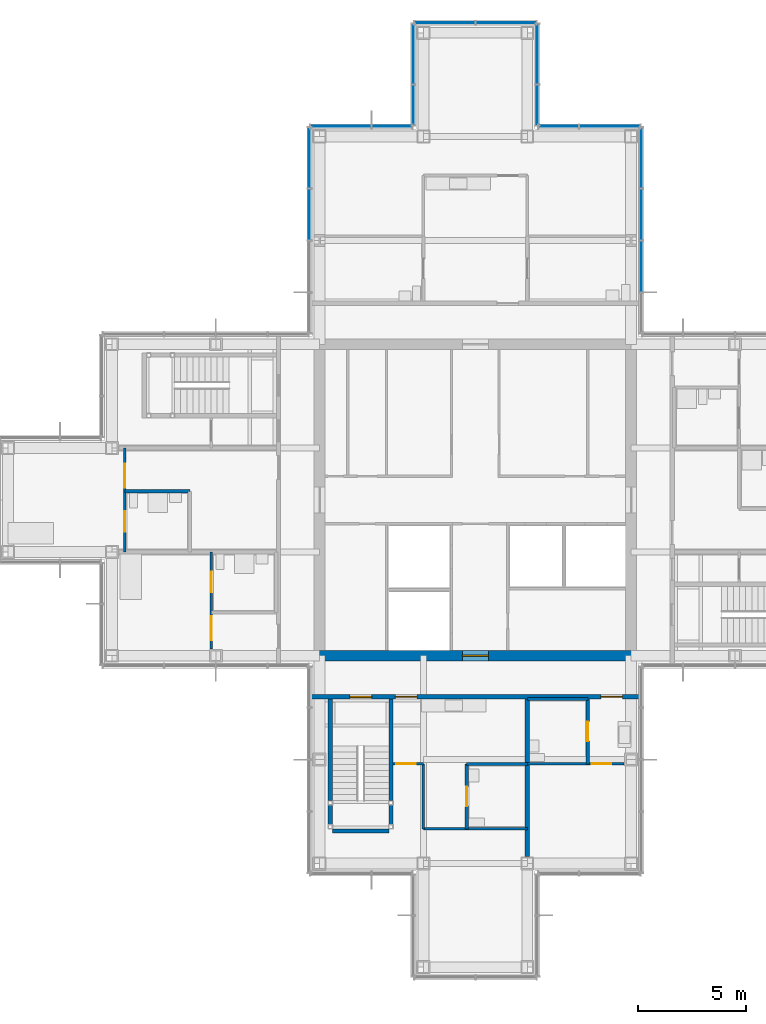
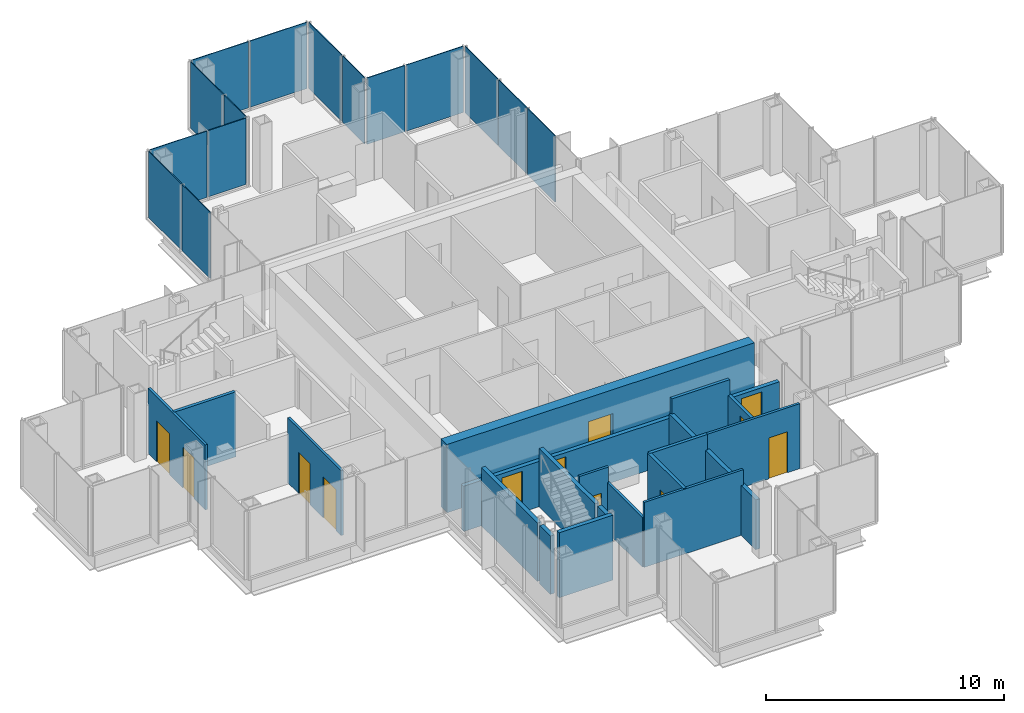
# One storey, part 11 of 17: 19 walls, 15 plates, 12 doors, 12 openings, 7 elements without a shape of their own.
"""IFC4 building model written with IfcOpenShell, lengths in metres."""

import ifcopenshell
import ifcopenshell.guid

model = None  # the IFC model being written
_history = None  # IfcOwnerHistory: only IFC2X3 demands one
_inside = {}  # id of a spatial element -> (the spatial element, [elements in it])
_under = {}  # id of a project, library or spatial element -> (it, [spatial elements below it])
_declared = {}  # id of a project -> (the project, [libraries it declares])
_typed = {}  # id of a type object -> (the type object, [elements of that type])
_made_of = {}  # id of a material, layer set ... -> (it, [elements and type objects made of it])


def new_model(schema):
    """Start an empty IFC model of exactly this schema.

    Asked for "IFC4X3", IfcOpenShell would pick the latest addendum, in which some entities
    have other attributes; the version numbers below select the first issue.
    IFC2X3 requires an IfcOwnerHistory on every rooted entity: one is made here for all.
    """
    global model, _history
    if schema == "IFC4X3":
        model = ifcopenshell.file(schema_version=(4, 3, 0, 0))
    else:
        model = ifcopenshell.file(schema=schema)
    _inside.clear()
    _under.clear()
    _declared.clear()
    _typed.clear()
    _made_of.clear()
    _history = None
    if model.schema == "IFC2X3":
        org = make("IfcOrganization", Name="unknown")
        user = make(
            "IfcPersonAndOrganization",
            ThePerson=make("IfcPerson", FamilyName="unknown"),
            TheOrganization=org,
        )
        app = make(
            "IfcApplication",
            ApplicationDeveloper=org,
            Version="unknown",
            ApplicationFullName="unknown",
            ApplicationIdentifier="unknown",
        )
        _history = make(
            "IfcOwnerHistory",
            OwningUser=user,
            OwningApplication=app,
            ChangeAction="ADDED",
            CreationDate=0,
        )
    return model


def make(cls, **values):
    """One entity of the class cls with the attributes given. An attribute that is None is left unset."""
    return model.create_entity(
        cls, **{name: value for name, value in values.items() if value is not None}
    )


def rooted(cls, **values):
    """An entity with a GlobalId (a new one), such as an element, a storey or a relation."""
    return make(cls, GlobalId=ifcopenshell.guid.new(), OwnerHistory=_history, **values)


def si_unit(unit_type, name, prefix=None):
    """IfcSIUnit, for example si_unit("LENGTHUNIT", "METRE", prefix="MILLI")."""
    return make("IfcSIUnit", UnitType=unit_type, Prefix=prefix, Name=name)


def assignment(units):
    """IfcUnitAssignment: the units of a project."""
    return None if units is None else make("IfcUnitAssignment", Units=units)


def point(xyz):
    """IfcCartesianPoint."""
    return None if xyz is None else make("IfcCartesianPoint", Coordinates=xyz)


def direction(xyz):
    """IfcDirection."""
    return None if xyz is None else make("IfcDirection", DirectionRatios=xyz)


def frame(location, z_axis=None, x_axis=None):
    """IfcAxis2Placement3D, a coordinate frame: its origin and axes. An axis left out is left unset."""
    return make(
        "IfcAxis2Placement3D",
        Location=point(location),
        Axis=direction(z_axis),
        RefDirection=direction(x_axis),
    )


def frame_2d(location, x_axis=None):
    """IfcAxis2Placement2D, a coordinate frame in the plane: its origin and x axis."""
    return make(
        "IfcAxis2Placement2D", Location=point(location), RefDirection=direction(x_axis)
    )


def origin():
    """The frame at (0, 0, 0) with its axes left unset."""
    return frame((0.0, 0.0, 0.0))


def origin_2d():
    """The frame at (0, 0) in the plane with its x axis left unset."""
    return frame_2d((0.0, 0.0))


def place(relative_to, where):
    """IfcLocalPlacement: puts the frame where relative to a parent placement (None: the world)."""
    return make(
        "IfcLocalPlacement", PlacementRelTo=relative_to, RelativePlacement=where
    )


def context(
    kind, dimensions, precision=None, world=None, true_north=None, identifier=None
):
    """IfcGeometricRepresentationContext, for example the 3D "Model" context."""
    return make(
        "IfcGeometricRepresentationContext",
        ContextIdentifier=identifier,
        ContextType=kind,
        CoordinateSpaceDimension=dimensions,
        Precision=precision,
        WorldCoordinateSystem=world,
        TrueNorth=true_north,
    )


def subcontext(parent, identifier, kind, view, scale=None):
    """IfcGeometricRepresentationSubContext, for example "Body" below "Model"."""
    return make(
        "IfcGeometricRepresentationSubContext",
        ContextIdentifier=identifier,
        ContextType=kind,
        ParentContext=parent,
        TargetScale=scale,
        TargetView=view,
    )


def project(units=None, contexts=None):
    """IfcProject with its units and contexts."""
    return rooted(
        "IfcProject",
        Name="project",
        RepresentationContexts=contexts,
        UnitsInContext=assignment(units),
    )


def spatial(cls, under=None, at=None, **own):
    """A site, building, storey or space (cls), placed at a placement, below another one or the project."""
    s = rooted(cls, ObjectPlacement=at, **own)
    if under is not None:
        _under.setdefault(under.id(), (under, []))[1].append(s)
    return s


def profile(cls, at=None, kind="AREA", **sizes):
    """A parametric profile (cls). Its sizes go by their IFC names, for example OverallWidth=200.0."""
    return make(cls, ProfileType=kind, Position=at, **sizes)


def rectangle(**sizes):
    """IfcRectangleProfileDef."""
    return profile("IfcRectangleProfileDef", **sizes)


def extrude(swept, where, along, depth):
    """IfcExtrudedAreaSolid: the profile swept, set in the frame where, extruded along a direction by depth."""
    return make(
        "IfcExtrudedAreaSolid",
        SweptArea=swept,
        Position=where,
        ExtrudedDirection=direction(along),
        Depth=depth,
    )


def shape(context_of_items, identifier, shape_type, items):
    """IfcShapeRepresentation: the items that make up one representation, for example the "Body"."""
    return make(
        "IfcShapeRepresentation",
        ContextOfItems=context_of_items,
        RepresentationIdentifier=identifier,
        RepresentationType=shape_type,
        Items=items,
    )


def material(Name=None, Category=None):
    """IfcMaterial."""
    return make("IfcMaterial", Name=Name, Category=Category)


def layer(
    of_material, thickness, ventilated=None, Name=None, Category=None, Priority=None
):
    """IfcMaterialLayer: one layer of a wall or slab, of a material (None: an air gap)."""
    return make(
        "IfcMaterialLayer",
        Material=of_material,
        LayerThickness=thickness,
        IsVentilated=ventilated,
        Name=Name,
        Category=Category,
        Priority=Priority,
    )


def layer_set(layers, Name=None):
    """IfcMaterialLayerSet."""
    return make("IfcMaterialLayerSet", MaterialLayers=layers, LayerSetName=Name)


def made_of(thing, what):
    """Note that an element or type object is made of a material, layer set ...; save() writes the relation."""
    if what is not None:
        _made_of.setdefault(what.id(), (what, []))[1].append(thing)
    return thing


def type_object(cls, material=None, **own):
    """A type object (cls), such as IfcWallType, which elements share."""
    return made_of(rooted(cls, **own), material)


def element(
    cls,
    number,
    at=None,
    inside=None,
    cuts=None,
    type_object=None,
    material=None,
    context=None,
    identifier="Body",
    shape_type=None,
    held_by="IfcProductDefinitionShape",
    body=None,
    shapes=None,
    **own,
):
    """One element of the class cls, such as IfcWall. Its Tag is "e" and its number.

    at: its placement. inside: the storey or other place that contains it. cuts: it is an
    opening in that element (IfcRelVoidsElement). A single representation is given by context,
    identifier, shape_type and body (its items); several are given by shapes. held_by: the class
    of the entity that holds the representations. save() writes the other relations.
    """
    e = rooted(cls, Tag="e%d" % number, ObjectPlacement=at, **own)
    if body is not None:
        shapes = [shape(context, identifier, shape_type, body)]
    if shapes is not None:
        e.Representation = make(held_by, Representations=shapes)
    if inside is not None:
        _inside.setdefault(inside.id(), (inside, []))[1].append(e)
    if cuts is not None:
        rooted(
            "IfcRelVoidsElement", RelatingBuildingElement=cuts, RelatedOpeningElement=e
        )
    if type_object is not None:
        _typed.setdefault(type_object.id(), (type_object, []))[1].append(e)
    return made_of(e, material)


def fill(opening, filler):
    """IfcRelFillsElement: the door or window that sits in an opening."""
    return rooted(
        "IfcRelFillsElement",
        RelatingOpeningElement=opening,
        RelatedBuildingElement=filler,
    )


def aggregate(whole, parts):
    """IfcRelAggregates: a whole, such as a stair, and the parts it consists of."""
    return rooted("IfcRelAggregates", RelatingObject=whole, RelatedObjects=parts)


def save(model, path):
    """Write the relations noted so far, then the file.

    IfcRelAggregates (storeys below a building ...), IfcRelContainedInSpatialStructure (elements
    in a storey), IfcRelDefinesByType, IfcRelAssociatesMaterial and IfcRelDeclares: one each for
    every whole, place, type object, material and project.
    """
    for whole, parts in _under.values():
        aggregate(whole, parts)
    for where, things in _inside.values():
        rooted(
            "IfcRelContainedInSpatialStructure",
            RelatedElements=things,
            RelatingStructure=where,
        )
    for kind, things in _typed.values():
        rooted("IfcRelDefinesByType", RelatedObjects=things, RelatingType=kind)
    for what, things in _made_of.values():
        rooted("IfcRelAssociatesMaterial", RelatedObjects=things, RelatingMaterial=what)
    for by, libraries in _declared.values():
        rooted("IfcRelDeclares", RelatingContext=by, RelatedDefinitions=libraries)
    model.write(path)


model = new_model("IFC4")

# Units and contexts
model_context = context("Model", 3, precision=1e-05, world=origin(), true_north=direction((0.0, 1.0)))
body_context = subcontext(model_context, "Body", "Model", "MODEL_VIEW")
ifc_project = project(units=[si_unit("LENGTHUNIT", "METRE"), si_unit("AREAUNIT", "SQUARE_METRE"), si_unit("VOLUMEUNIT", "CUBIC_METRE"), si_unit("PLANEANGLEUNIT", "RADIAN"), si_unit("MASSUNIT", "GRAM", prefix="KILO")], contexts=[model_context])

# Site, building, storey
site_placement = place(None, origin())
site = spatial("IfcSite", under=ifc_project, at=site_placement, CompositionType="ELEMENT")
building_placement = place(site_placement, origin())
building = spatial("IfcBuilding", under=site, at=building_placement, Name="Kvirike Care Tower", CompositionType="ELEMENT")
storey_placement = place(building_placement, frame((0.0, 0.0, 162.0)))
storey = spatial("IfcBuildingStorey", under=building, at=storey_placement, Name="L44", CompositionType="ELEMENT", Elevation=162.0)

# Curtain wall, plates
ifc_material_1 = material(Name="Anodised aluminium stick system", Category="aluminium")
curtain_wall_type = type_object("IfcCurtainWallType", Name="CW-C STICK CURTAIN WALL", PredefinedType="NOTDEFINED", material=ifc_material_1)
curtain_wall_1_placement = place(storey_placement, origin())
curtain_wall_1 = element("IfcCurtainWall", 1, at=curtain_wall_1_placement, inside=storey, type_object=curtain_wall_type, Name="Curtain wall L44 face 8", PredefinedType="NOTDEFINED")
ifc_material_2 = material(Name="Tinted double glazed unit", Category="glass")
ifc_layer_1 = layer(ifc_material_2, 0.0400390625)
ifc_layer_set_1 = layer_set([ifc_layer_1], Name="TINTED VISION PANEL 40")
plate_type = type_object("IfcPlateType", Name="TINTED VISION PANEL 40", PredefinedType="CURTAIN_PANEL", material=ifc_layer_set_1)
plate_1_placement = place(storey_placement, frame((29.27001953125, 46.800048828125, 0.10009765625), z_axis=(0.0, 0.0, 1.0), x_axis=(0.0, 1.0, 0.0)))
plate_1 = element("IfcPlate", 2, at=plate_1_placement, type_object=plate_type, Name="CW-C panel L44 face 8.2", PredefinedType="CURTAIN_PANEL", context=body_context, shape_type="SweptSolid", body=[
    extrude(rectangle(XDim=2.3349609375, YDim=0.0400390625, at=origin_2d()), origin(), (0.0, 0.0, 1.0), 3.39990234375),
])
plate_2_placement = place(storey_placement, frame((29.27001953125, 49.199951171875, 0.10009765625), z_axis=(0.0, 0.0, 1.0), x_axis=(0.0, 1.0, 0.0)))
plate_2 = element("IfcPlate", 3, at=plate_2_placement, type_object=plate_type, Name="CW-C panel L44 face 8.3", PredefinedType="CURTAIN_PANEL", context=body_context, shape_type="SweptSolid", body=[
    extrude(rectangle(XDim=2.3349609375, YDim=0.0400390625, at=origin_2d()), origin(), (0.0, 0.0, 1.0), 3.39990234375),
])
plate_3_placement = place(storey_placement, frame((29.27001953125, 51.81884765625, 0.10009765625), z_axis=(0.0, 0.0, 1.0), x_axis=(0.0, 1.0, 0.0)))
plate_3 = element("IfcPlate", 4, at=plate_3_placement, type_object=plate_type, Name="CW-C panel L44 face 8.4", PredefinedType="CURTAIN_PANEL", context=body_context, shape_type="SweptSolid", body=[
    extrude(rectangle(XDim=2.7724609375, YDim=0.0400390625, at=origin_2d()), origin(), (0.0, 0.0, 1.0), 3.39990234375),
])
aggregate(curtain_wall_1, [plate_1, plate_2, plate_3])

curtain_wall_2_placement = place(storey_placement, origin())
curtain_wall_2 = element("IfcCurtainWall", 5, at=curtain_wall_2_placement, inside=storey, type_object=curtain_wall_type, Name="Curtain wall L44 face 9", PredefinedType="NOTDEFINED")
plate_4_placement = place(storey_placement, frame((27.81884765625, 53.27001953125, 0.10009765625), z_axis=(0.0, 0.0, 1.0), x_axis=(-1.0, 0.0, 0.0)))
plate_4 = element("IfcPlate", 6, at=plate_4_placement, type_object=plate_type, Name="CW-C panel L44 face 9.1", PredefinedType="CURTAIN_PANEL", context=body_context, shape_type="SweptSolid", body=[
    extrude(rectangle(XDim=2.7724609375, YDim=0.0400390625, at=origin_2d()), origin(), (0.0, 0.0, 1.0), 3.39990234375),
])
plate_5_placement = place(storey_placement, frame((25.451171875, 53.27001953125, 0.10009765625), z_axis=(0.0, 0.0, 1.0), x_axis=(-1.0, 0.0, 0.0)))
plate_5 = element("IfcPlate", 7, at=plate_5_placement, type_object=plate_type, Name="CW-C panel L44 face 9.2", PredefinedType="CURTAIN_PANEL", context=body_context, shape_type="SweptSolid", body=[
    extrude(rectangle(XDim=1.83251953125, YDim=0.0400390625, at=origin_2d()), origin(), (0.0, 0.0, 1.0), 3.39990234375),
])
aggregate(curtain_wall_2, [plate_4, plate_5])

curtain_wall_3_placement = place(storey_placement, origin())
curtain_wall_3 = element("IfcCurtainWall", 8, at=curtain_wall_3_placement, inside=storey, type_object=curtain_wall_type, Name="Curtain wall L44 face 10", PredefinedType="NOTDEFINED")
plate_6_placement = place(storey_placement, frame((24.469970703125, 54.251220703125, 0.10009765625), z_axis=(0.0, 0.0, 1.0), x_axis=(0.0, 1.0, 0.0)))
plate_6 = element("IfcPlate", 9, at=plate_6_placement, type_object=plate_type, Name="CW-C panel L44 face 10.1", PredefinedType="CURTAIN_PANEL", context=body_context, shape_type="SweptSolid", body=[
    extrude(rectangle(XDim=1.83251953125, YDim=0.0400390625, at=origin_2d()), origin(), (0.0, 0.0, 1.0), 3.39990234375),
])
plate_7_placement = place(storey_placement, frame((24.469970703125, 56.61865234375, 0.10009765625), z_axis=(0.0, 0.0, 1.0), x_axis=(0.0, 1.0, 0.0)))
plate_7 = element("IfcPlate", 10, at=plate_7_placement, type_object=plate_type, Name="CW-C panel L44 face 10.2", PredefinedType="CURTAIN_PANEL", context=body_context, shape_type="SweptSolid", body=[
    extrude(rectangle(XDim=2.7724609375, YDim=0.0400390625, at=origin_2d()), origin(), (0.0, 0.0, 1.0), 3.39990234375),
])
aggregate(curtain_wall_3, [plate_6, plate_7])

curtain_wall_4_placement = place(storey_placement, origin())
curtain_wall_4 = element("IfcCurtainWall", 11, at=curtain_wall_4_placement, inside=storey, type_object=curtain_wall_type, Name="Curtain wall L44 face 11", PredefinedType="NOTDEFINED")
plate_8_placement = place(storey_placement, frame((23.018798828125, 58.070068359375, 0.10009765625), z_axis=(0.0, 0.0, 1.0), x_axis=(-1.0, 0.0, 0.0)))
plate_8 = element("IfcPlate", 12, at=plate_8_placement, type_object=plate_type, Name="CW-C panel L44 face 11.1", PredefinedType="CURTAIN_PANEL", context=body_context, shape_type="SweptSolid", body=[
    extrude(rectangle(XDim=2.7724609375, YDim=0.0400390625, at=origin_2d()), origin(), (0.0, 0.0, 1.0), 3.39990234375),
])
plate_9_placement = place(storey_placement, frame((20.18115234375, 58.070068359375, 0.10009765625), z_axis=(0.0, 0.0, 1.0), x_axis=(-1.0, 0.0, 0.0)))
plate_9 = element("IfcPlate", 13, at=plate_9_placement, type_object=plate_type, Name="CW-C panel L44 face 11.2", PredefinedType="CURTAIN_PANEL", context=body_context, shape_type="SweptSolid", body=[
    extrude(rectangle(XDim=2.7724609375, YDim=0.0400390625, at=origin_2d()), origin(), (0.0, 0.0, 1.0), 3.39990234375),
])
aggregate(curtain_wall_4, [plate_8, plate_9])

curtain_wall_5_placement = place(storey_placement, origin())
curtain_wall_5 = element("IfcCurtainWall", 14, at=curtain_wall_5_placement, inside=storey, type_object=curtain_wall_type, Name="Curtain wall L44 face 12", PredefinedType="NOTDEFINED")
plate_10_placement = place(storey_placement, frame((18.72998046875, 56.61865234375, 0.10009765625), z_axis=(0.0, 0.0, 1.0), x_axis=(0.0, -1.0, 0.0)))
plate_10 = element("IfcPlate", 15, at=plate_10_placement, type_object=plate_type, Name="CW-C panel L44 face 12.1", PredefinedType="CURTAIN_PANEL", context=body_context, shape_type="SweptSolid", body=[
    extrude(rectangle(XDim=2.7724609375, YDim=0.0400390625, at=origin_2d()), origin(), (0.0, 0.0, 1.0), 3.39990234375),
])
plate_11_placement = place(storey_placement, frame((18.72998046875, 54.251220703125, 0.10009765625), z_axis=(0.0, 0.0, 1.0), x_axis=(0.0, -1.0, 0.0)))
plate_11 = element("IfcPlate", 16, at=plate_11_placement, type_object=plate_type, Name="CW-C panel L44 face 12.2", PredefinedType="CURTAIN_PANEL", context=body_context, shape_type="SweptSolid", body=[
    extrude(rectangle(XDim=1.83251953125, YDim=0.0400390625, at=origin_2d()), origin(), (0.0, 0.0, 1.0), 3.39990234375),
])
aggregate(curtain_wall_5, [plate_10, plate_11])

curtain_wall_6_placement = place(storey_placement, origin())
curtain_wall_6 = element("IfcCurtainWall", 17, at=curtain_wall_6_placement, inside=storey, type_object=curtain_wall_type, Name="Curtain wall L44 face 13", PredefinedType="NOTDEFINED")
plate_12_placement = place(storey_placement, frame((17.748779296875, 53.27001953125, 0.10009765625), z_axis=(0.0, 0.0, 1.0), x_axis=(-1.0, 0.0, 0.0)))
plate_12 = element("IfcPlate", 18, at=plate_12_placement, type_object=plate_type, Name="CW-C panel L44 face 13.1", PredefinedType="CURTAIN_PANEL", context=body_context, shape_type="SweptSolid", body=[
    extrude(rectangle(XDim=1.83251953125, YDim=0.0400390625, at=origin_2d()), origin(), (0.0, 0.0, 1.0), 3.39990234375),
])
plate_13_placement = place(storey_placement, frame((15.38134765625, 53.27001953125, 0.10009765625), z_axis=(0.0, 0.0, 1.0), x_axis=(-1.0, 0.0, 0.0)))
plate_13 = element("IfcPlate", 19, at=plate_13_placement, type_object=plate_type, Name="CW-C panel L44 face 13.2", PredefinedType="CURTAIN_PANEL", context=body_context, shape_type="SweptSolid", body=[
    extrude(rectangle(XDim=2.7724609375, YDim=0.0400390625, at=origin_2d()), origin(), (0.0, 0.0, 1.0), 3.39990234375),
])
aggregate(curtain_wall_6, [plate_12, plate_13])

curtain_wall_7_placement = place(storey_placement, origin())
curtain_wall_7 = element("IfcCurtainWall", 20, at=curtain_wall_7_placement, inside=storey, type_object=curtain_wall_type, Name="Curtain wall L44 face 14", PredefinedType="NOTDEFINED")
plate_14_placement = place(storey_placement, frame((13.929931640625, 51.81884765625, 0.10009765625), z_axis=(0.0, 0.0, 1.0), x_axis=(0.0, -1.0, 0.0)))
plate_14 = element("IfcPlate", 21, at=plate_14_placement, type_object=plate_type, Name="CW-C panel L44 face 14.1", PredefinedType="CURTAIN_PANEL", context=body_context, shape_type="SweptSolid", body=[
    extrude(rectangle(XDim=2.7724609375, YDim=0.0400390625, at=origin_2d()), origin(), (0.0, 0.0, 1.0), 3.39990234375),
])
plate_15_placement = place(storey_placement, frame((13.929931640625, 49.199951171875, 0.10009765625), z_axis=(0.0, 0.0, 1.0), x_axis=(0.0, -1.0, 0.0)))
plate_15 = element("IfcPlate", 22, at=plate_15_placement, type_object=plate_type, Name="CW-C panel L44 face 14.2", PredefinedType="CURTAIN_PANEL", context=body_context, shape_type="SweptSolid", body=[
    extrude(rectangle(XDim=2.3349609375, YDim=0.0400390625, at=origin_2d()), origin(), (0.0, 0.0, 1.0), 3.39990234375),
])
aggregate(curtain_wall_7, [plate_14, plate_15])

# Wall
ifc_material_3 = material(Name="Moisture-resistant board partition", Category="gypsum")
ifc_layer_2 = layer(ifc_material_3, 0.14990234375)
ifc_layer_set_2 = layer_set([ifc_layer_2], Name="BATHROOM WALL 150")
wall_type_1 = type_object("IfcWallType", Name="BATHROOM WALL 150", PredefinedType="PARTITIONING", material=ifc_layer_set_2)
wall_1_placement = place(storey_placement, frame((5.39990234375, 36.39990234375, 0.0), z_axis=(0.0, 0.0, 1.0), x_axis=(1.0, 0.0, 0.0)))
element("IfcWall", 23, at=wall_1_placement, inside=storey, type_object=wall_type_1, Name="Bathroom Wall 150 L44", PredefinedType="PARTITIONING", context=body_context, shape_type="SweptSolid", body=[
    extrude(rectangle(XDim=3.0, YDim=0.14990234375, at=frame_2d((1.5, 0.0))), origin(), (0.0, 0.0, 1.0), 3.330078125),
])

# Wall, opening, door
wall_2_placement = place(storey_placement, frame((21.199951171875, 20.800048828125, 0.0), z_axis=(0.0, 0.0, 1.0), x_axis=(0.0, 1.0, 0.0)))
wall_2 = element("IfcWall", 24, at=wall_2_placement, inside=storey, type_object=wall_type_1, Name="Bathroom Wall 150 L44", PredefinedType="PARTITIONING", context=body_context, shape_type="SweptSolid", body=[
    extrude(rectangle(XDim=3.0, YDim=0.14990234375, at=frame_2d((1.5, 0.0))), origin(), (0.0, 0.0, 1.0), 3.330078125),
])
opening_1_placement = place(wall_2_placement, frame((1.050048828125, 0.0, 0.0)))
opening_1 = element("IfcOpeningElement", 25, at=opening_1_placement, cuts=wall_2, Name="Opening 44-010", PredefinedType="OPENING", context=body_context, shape_type="SweptSolid", body=[
    extrude(rectangle(XDim=0.89990234375, YDim=2.10009765625, at=frame_2d((0.449951171875, 1.050048828125))), frame((0.0, 0.08544921875, 0.0), z_axis=(0.0, -1.0, 0.0), x_axis=(1.0, 0.0, 0.0)), (0.0, 0.0, 1.0), 0.1708984375),
])
ifc_material_4 = material(Name="Timber door set", Category="wood")
door_type_1 = type_object("IfcDoorType", Name="BATHROOM DOOR 900", OperationType="SINGLE_SWING_RIGHT", PredefinedType="DOOR", material=ifc_material_4)
door_1_placement = place(opening_1_placement, frame((0.89990234375, 0.0, 0.0), z_axis=(0.0, 0.0, 1.0), x_axis=(-1.0, 0.0, 0.0)))
door_1 = element("IfcDoor", 26, at=door_1_placement, inside=storey, type_object=door_type_1, Name="Accessible WC door", OperationType="SINGLE_SWING_LEFT", OverallHeight=2.10009765625, OverallWidth=0.89990234375, PredefinedType="DOOR", context=body_context, shape_type="SweptSolid", body=[
    extrude(rectangle(XDim=0.89990234375, YDim=2.10009765625, at=frame_2d((0.449951171875, 1.050048828125))), frame((0.0, 0.02197265625, 0.0), z_axis=(0.0, -1.0, 0.0), x_axis=(1.0, 0.0, 0.0)), (0.0, 0.0, 1.0), 0.0439453125),
])
fill(opening_1, door_1)

# Wall
wall_3_placement = place(storey_placement, frame((21.199951171875, 23.800048828125, 0.0), z_axis=(0.0, 0.0, 1.0), x_axis=(1.0, 0.0, 0.0)))
element("IfcWall", 27, at=wall_3_placement, inside=storey, type_object=wall_type_1, Name="Bathroom Wall 150 L44", PredefinedType="PARTITIONING", context=body_context, shape_type="SweptSolid", body=[
    extrude(rectangle(XDim=2.800048828125, YDim=0.14990234375, at=frame_2d((1.39990234375, 0.0))), origin(), (0.0, 0.0, 1.0), 3.330078125),
])

# Wall, opening, door
wall_4_placement = place(storey_placement, frame((26.800048828125, 23.800048828125, 0.0), z_axis=(0.0, 0.0, 1.0), x_axis=(0.0, 1.0, 0.0)))
wall_4 = element("IfcWall", 28, at=wall_4_placement, inside=storey, type_object=wall_type_1, Name="Bathroom Wall 150 L44", PredefinedType="PARTITIONING", context=body_context, shape_type="SweptSolid", body=[
    extrude(rectangle(XDim=3.0, YDim=0.14990234375, at=frame_2d((1.5, 0.0))), origin(), (0.0, 0.0, 1.0), 2.550048828125),
])
opening_2_placement = place(wall_4_placement, frame((1.050048828125, 0.0, 0.0)))
opening_2 = element("IfcOpeningElement", 29, at=opening_2_placement, cuts=wall_4, Name="Opening 44-012", PredefinedType="OPENING", context=body_context, shape_type="SweptSolid", body=[
    extrude(rectangle(XDim=0.89990234375, YDim=2.10009765625, at=frame_2d((0.449951171875, 1.050048828125))), frame((0.0, 0.08544921875, 0.0), z_axis=(0.0, -1.0, 0.0), x_axis=(1.0, 0.0, 0.0)), (0.0, 0.0, 1.0), 0.1708984375),
])
door_2_placement = place(opening_2_placement, frame((0.89990234375, 0.0, 0.0), z_axis=(0.0, 0.0, 1.0), x_axis=(-1.0, 0.0, 0.0)))
door_2 = element("IfcDoor", 30, at=door_2_placement, inside=storey, type_object=door_type_1, Name="Staff WC door", OperationType="SINGLE_SWING_LEFT", OverallHeight=2.10009765625, OverallWidth=0.89990234375, PredefinedType="DOOR", context=body_context, shape_type="SweptSolid", body=[
    extrude(rectangle(XDim=0.89990234375, YDim=2.10009765625, at=frame_2d((0.449951171875, 1.050048828125))), frame((0.0, 0.02197265625, 0.0), z_axis=(0.0, -1.0, 0.0), x_axis=(1.0, 0.0, 0.0)), (0.0, 0.0, 1.0), 0.0439453125),
])
fill(opening_2, door_2)

# Wall
wall_5_placement = place(storey_placement, frame((24.0, 26.800048828125, 0.0), z_axis=(0.0, 0.0, 1.0), x_axis=(1.0, 0.0, 0.0)))
element("IfcWall", 31, at=wall_5_placement, inside=storey, type_object=wall_type_1, Name="Bathroom Wall 150 L44", PredefinedType="PARTITIONING", context=body_context, shape_type="SweptSolid", body=[
    extrude(rectangle(XDim=2.800048828125, YDim=0.14990234375, at=frame_2d((1.39990234375, 0.0))), origin(), (0.0, 0.0, 1.0), 3.330078125),
])

# Wall, opening, door
ifc_material_5 = material(Name="Concrete C45/55", Category="concrete")
ifc_layer_3 = layer(ifc_material_5, 0.5)
ifc_layer_set_3 = layer_set([ifc_layer_3], Name="CORE WALL 500 C45-55")
wall_type_2 = type_object("IfcWallType", Name="CORE WALL 500 C45-55", PredefinedType="SHEAR", material=ifc_layer_set_3)
wall_6_placement = place(storey_placement, frame((14.14990234375, 28.800048828125, -0.169921875), z_axis=(0.0, 0.0, 1.0), x_axis=(1.0, 0.0, 0.0)))
wall_6 = element("IfcWall", 32, at=wall_6_placement, inside=storey, type_object=wall_type_2, Name="Core wall S L44", PredefinedType="SHEAR", context=body_context, shape_type="SweptSolid", body=[
    extrude(rectangle(XDim=14.900146484375, YDim=0.5, at=frame_2d((7.4501953125, 0.0))), origin(), (0.0, 0.0, 1.0), 3.5),
])
opening_3_placement = place(wall_6_placement, frame((6.85009765625, 0.0, 0.169921875)))
opening_3 = element("IfcOpeningElement", 33, at=opening_3_placement, cuts=wall_6, Name="Opening 44-043", PredefinedType="OPENING", context=body_context, shape_type="SweptSolid", body=[
    extrude(rectangle(XDim=1.199951171875, YDim=2.10009765625, at=frame_2d((0.60009765625, 1.050048828125))), frame((0.0, 0.260498046875, 0.0), z_axis=(0.0, -1.0, 0.0), x_axis=(1.0, 0.0, 0.0)), (0.0, 0.0, 1.0), 0.52099609375),
])
ifc_material_6 = material(Name="Timber door set", Category="wood")
door_type_2 = type_object("IfcDoorType", Name="CORE DOOR 1200", OperationType="SINGLE_SWING_LEFT", PredefinedType="DOOR", material=ifc_material_6)
door_3_placement = place(opening_3_placement, origin())
door_3 = element("IfcDoor", 34, at=door_3_placement, inside=storey, type_object=door_type_2, Name="Core door S L44", OperationType="SINGLE_SWING_LEFT", OverallHeight=2.10009765625, OverallWidth=1.199951171875, PredefinedType="DOOR", context=body_context, shape_type="SweptSolid", body=[
    extrude(rectangle(XDim=1.199951171875, YDim=2.10009765625, at=frame_2d((0.60009765625, 1.050048828125))), frame((0.0, 0.02685546875, 0.0), z_axis=(0.0, -1.0, 0.0), x_axis=(1.0, 0.0, 0.0)), (0.0, 0.0, 1.0), 0.053955078125),
])
fill(opening_3, door_3)

# Wall, openings, doors
ifc_material_7 = material(Name="Plasterboard corridor wall", Category="gypsum")
ifc_layer_4 = layer(ifc_material_7, 0.199951171875)
ifc_layer_set_4 = layer_set([ifc_layer_4], Name="CORRIDOR WALL 200")
wall_type_3 = type_object("IfcWallType", Name="CORRIDOR WALL 200", PredefinedType="PARTITIONING", material=ifc_layer_set_4)
wall_7_placement = place(storey_placement, frame((13.949951171875, 26.89990234375, 0.0), z_axis=(0.0, 0.0, 1.0), x_axis=(1.0, 0.0, 0.0)))
wall_7 = element("IfcWall", 35, at=wall_7_placement, inside=storey, type_object=wall_type_3, Name="Corridor Wall 200 L44", PredefinedType="PARTITIONING", context=body_context, shape_type="SweptSolid", body=[
    extrude(rectangle(XDim=15.300048828125, YDim=0.199951171875, at=frame_2d((7.64990234375, 0.0))), origin(), (0.0, 0.0, 1.0), 2.320068359375),
])
opening_4_placement = place(wall_7_placement, frame((1.85009765625, 0.0, 0.0)))
opening_4 = element("IfcOpeningElement", 36, at=opening_4_placement, cuts=wall_7, Name="Opening 44-014", PredefinedType="OPENING", context=body_context, shape_type="SweptSolid", body=[
    extrude(rectangle(XDim=1.0, YDim=2.10009765625, at=frame_2d((0.5, 1.050048828125))), frame((0.0, 0.110595703125, 0.0), z_axis=(0.0, -1.0, 0.0), x_axis=(1.0, 0.0, 0.0)), (0.0, 0.0, 1.0), 0.220947265625),
])
opening_5_placement = place(wall_7_placement, frame((3.949951171875, 0.0, 0.0)))
opening_5 = element("IfcOpeningElement", 37, at=opening_5_placement, cuts=wall_7, Name="Opening 44-015", PredefinedType="OPENING", context=body_context, shape_type="SweptSolid", body=[
    extrude(rectangle(XDim=1.0, YDim=2.10009765625, at=frame_2d((0.5, 1.050048828125))), frame((0.0, 0.110595703125, 0.0), z_axis=(0.0, -1.0, 0.0), x_axis=(1.0, 0.0, 0.0)), (0.0, 0.0, 1.0), 0.220947265625),
])
opening_6_placement = place(wall_7_placement, frame((13.449951171875, 0.0, 0.0)))
opening_6 = element("IfcOpeningElement", 38, at=opening_6_placement, cuts=wall_7, Name="Opening 44-016", PredefinedType="OPENING", context=body_context, shape_type="SweptSolid", body=[
    extrude(rectangle(XDim=1.0, YDim=2.10009765625, at=frame_2d((0.5, 1.050048828125))), frame((0.0, 0.110595703125, 0.0), z_axis=(0.0, -1.0, 0.0), x_axis=(1.0, 0.0, 0.0)), (0.0, 0.0, 1.0), 0.220947265625),
])
ifc_material_8 = material(Name="Timber door set", Category="wood")
door_type_3 = type_object("IfcDoorType", Name="FLAT ENTRANCE DOOR 1000", OperationType="SINGLE_SWING_LEFT", PredefinedType="DOOR", material=ifc_material_8)
door_4_placement = place(opening_5_placement, frame((1.0, 0.0, 0.0), z_axis=(0.0, 0.0, 1.0), x_axis=(-1.0, 0.0, 0.0)))
door_4 = element("IfcDoor", 39, at=door_4_placement, inside=storey, type_object=door_type_3, Name="Household lounge entrance", OperationType="SINGLE_SWING_LEFT", OverallHeight=2.10009765625, OverallWidth=1.0, PredefinedType="DOOR", context=body_context, shape_type="SweptSolid", body=[
    extrude(rectangle(XDim=1.0, YDim=2.10009765625, at=frame_2d((0.5, 1.050048828125))), frame((0.0, 0.02685546875, 0.0), z_axis=(0.0, -1.0, 0.0), x_axis=(1.0, 0.0, 0.0)), (0.0, 0.0, 1.0), 0.053955078125),
])
fill(opening_5, door_4)
door_5_placement = place(opening_6_placement, frame((1.0, 0.0, 0.0), z_axis=(0.0, 0.0, 1.0), x_axis=(-1.0, 0.0, 0.0)))
door_5 = element("IfcDoor", 40, at=door_5_placement, inside=storey, type_object=door_type_3, Name="Household dining entrance", OperationType="SINGLE_SWING_RIGHT", OverallHeight=2.10009765625, OverallWidth=1.0, PredefinedType="DOOR", context=body_context, shape_type="SweptSolid", body=[
    extrude(rectangle(XDim=1.0, YDim=2.10009765625, at=frame_2d((0.5, 1.050048828125))), frame((0.0, 0.02685546875, 0.0), z_axis=(0.0, -1.0, 0.0), x_axis=(1.0, 0.0, 0.0)), (0.0, 0.0, 1.0), 0.053955078125),
])
fill(opening_6, door_5)
ifc_material_9 = material(Name="Timber door set", Category="wood")
door_type_4 = type_object("IfcDoorType", Name="STAIR DOOR 1000", OperationType="SINGLE_SWING_LEFT", PredefinedType="DOOR", material=ifc_material_9)
door_6_placement = place(opening_4_placement, frame((1.0, 0.0, 0.0), z_axis=(0.0, 0.0, 1.0), x_axis=(-1.0, 0.0, 0.0)))
door_6 = element("IfcDoor", 41, at=door_6_placement, inside=storey, type_object=door_type_4, Name="Stair 5 door", OperationType="SINGLE_SWING_RIGHT", OverallHeight=2.10009765625, OverallWidth=1.0, PredefinedType="DOOR", context=body_context, shape_type="SweptSolid", body=[
    extrude(rectangle(XDim=1.0, YDim=2.10009765625, at=frame_2d((0.5, 1.050048828125))), frame((0.0, 0.031982421875, 0.0), z_axis=(0.0, -1.0, 0.0), x_axis=(1.0, 0.0, 0.0)), (0.0, 0.0, 1.0), 0.06396484375),
])
fill(opening_4, door_6)

ifc_material_10 = material(Name="Plasterboard partition", Category="gypsum")
ifc_layer_5 = layer(ifc_material_10, 0.1201171875)
ifc_layer_set_5 = layer_set([ifc_layer_5], Name="PARTITION 120")
wall_type_4 = type_object("IfcWallType", Name="PARTITION 120", PredefinedType="PARTITIONING", material=ifc_layer_set_5)
wall_8_placement = place(storey_placement, frame((5.39990234375, 38.39990234375, 0.0), z_axis=(0.0, 0.0, 1.0), x_axis=(0.0, -1.0, 0.0)))
wall_8 = element("IfcWall", 42, at=wall_8_placement, inside=storey, type_object=wall_type_4, Name="Partition 120 L44", PredefinedType="PARTITIONING", context=body_context, shape_type="SweptSolid", body=[
    extrude(rectangle(XDim=4.7998046875, YDim=0.1201171875, at=frame_2d((2.39990234375, 0.0))), origin(), (0.0, 0.0, 1.0), 3.330078125),
])
opening_7_placement = place(wall_8_placement, frame((0.72509765625, 0.0, 0.0)))
opening_7 = element("IfcOpeningElement", 43, at=opening_7_placement, cuts=wall_8, Name="Opening 44-002", PredefinedType="OPENING", context=body_context, shape_type="SweptSolid", body=[
    extrude(rectangle(XDim=1.10009765625, YDim=2.10009765625, at=frame_2d((0.550048828125, 1.050048828125))), frame((0.0, 0.070556640625, 0.0), z_axis=(0.0, -1.0, 0.0), x_axis=(1.0, 0.0, 0.0)), (0.0, 0.0, 1.0), 0.14111328125),
])
opening_8_placement = place(wall_8_placement, frame((2.925048828125, 0.0, 0.0)))
opening_8 = element("IfcOpeningElement", 44, at=opening_8_placement, cuts=wall_8, Name="Opening 44-003", PredefinedType="OPENING", context=body_context, shape_type="SweptSolid", body=[
    extrude(rectangle(XDim=0.949951171875, YDim=2.10009765625, at=frame_2d((0.47509765625, 1.050048828125))), frame((0.0, 0.070556640625, 0.0), z_axis=(0.0, -1.0, 0.0), x_axis=(1.0, 0.0, 0.0)), (0.0, 0.0, 1.0), 0.14111328125),
])
ifc_material_11 = material(Name="Timber door set", Category="wood")
door_type_5 = type_object("IfcDoorType", Name="BEDROOM DOOR 1100", OperationType="SINGLE_SWING_LEFT", PredefinedType="DOOR", material=ifc_material_11)
door_7_placement = place(opening_7_placement, origin())
door_7 = element("IfcDoor", 45, at=door_7_placement, inside=storey, type_object=door_type_5, Name="Memory care bedroom door", OperationType="SINGLE_SWING_LEFT", OverallHeight=2.10009765625, OverallWidth=1.10009765625, PredefinedType="DOOR", context=body_context, shape_type="SweptSolid", body=[
    extrude(rectangle(XDim=1.10009765625, YDim=2.10009765625, at=frame_2d((0.550048828125, 1.050048828125))), frame((0.0, 0.02197265625, 0.0), z_axis=(0.0, -1.0, 0.0), x_axis=(1.0, 0.0, 0.0)), (0.0, 0.0, 1.0), 0.0439453125),
])
fill(opening_7, door_7)
ifc_material_12 = material(Name="Timber door set", Category="wood")
door_type_6 = type_object("IfcDoorType", Name="EN-SUITE SLIDING DOOR 950", OperationType="SLIDING_TO_LEFT", PredefinedType="DOOR", material=ifc_material_12)
door_8_placement = place(opening_8_placement, origin())
door_8 = element("IfcDoor", 46, at=door_8_placement, inside=storey, type_object=door_type_6, Name="En-suite door", OperationType="SLIDING_TO_LEFT", OverallHeight=2.10009765625, OverallWidth=0.949951171875, PredefinedType="DOOR", context=body_context, shape_type="SweptSolid", body=[
    extrude(rectangle(XDim=0.949951171875, YDim=2.10009765625, at=frame_2d((0.47509765625, 1.050048828125))), frame((0.0, 0.02197265625, 0.0), z_axis=(0.0, -1.0, 0.0), x_axis=(1.0, 0.0, 0.0)), (0.0, 0.0, 1.0), 0.0439453125),
])
fill(opening_8, door_8)

wall_9_placement = place(storey_placement, frame((9.39990234375, 33.60009765625, 0.0), z_axis=(0.0, 0.0, 1.0), x_axis=(0.0, -1.0, 0.0)))
wall_9 = element("IfcWall", 47, at=wall_9_placement, inside=storey, type_object=wall_type_4, Name="Partition 120 L44", PredefinedType="PARTITIONING", context=body_context, shape_type="SweptSolid", body=[
    extrude(rectangle(XDim=4.47998046875, YDim=0.1201171875, at=frame_2d((2.239990234375, 0.0))), origin(), (0.0, 0.0, 1.0), 3.330078125),
])
opening_9_placement = place(wall_9_placement, frame((2.97509765625, 0.0, 0.0)))
opening_9 = element("IfcOpeningElement", 48, at=opening_9_placement, cuts=wall_9, Name="Opening 44-004", PredefinedType="OPENING", context=body_context, shape_type="SweptSolid", body=[
    extrude(rectangle(XDim=1.10009765625, YDim=2.10009765625, at=frame_2d((0.550048828125, 1.050048828125))), frame((0.0, 0.070556640625, 0.0), z_axis=(0.0, -1.0, 0.0), x_axis=(1.0, 0.0, 0.0)), (0.0, 0.0, 1.0), 0.14111328125),
])
opening_10_placement = place(wall_9_placement, frame((0.925048828125, 0.0, 0.0)))
opening_10 = element("IfcOpeningElement", 49, at=opening_10_placement, cuts=wall_9, Name="Opening 44-005", PredefinedType="OPENING", context=body_context, shape_type="SweptSolid", body=[
    extrude(rectangle(XDim=0.949951171875, YDim=2.10009765625, at=frame_2d((0.47509765625, 1.050048828125))), frame((0.0, 0.070556640625, 0.0), z_axis=(0.0, -1.0, 0.0), x_axis=(1.0, 0.0, 0.0)), (0.0, 0.0, 1.0), 0.14111328125),
])
door_9_placement = place(opening_9_placement, origin())
door_9 = element("IfcDoor", 50, at=door_9_placement, inside=storey, type_object=door_type_5, Name="Memory care bedroom door", OperationType="SINGLE_SWING_RIGHT", OverallHeight=2.10009765625, OverallWidth=1.10009765625, PredefinedType="DOOR", context=body_context, shape_type="SweptSolid", body=[
    extrude(rectangle(XDim=1.10009765625, YDim=2.10009765625, at=frame_2d((0.550048828125, 1.050048828125))), frame((0.0, 0.02197265625, 0.0), z_axis=(0.0, -1.0, 0.0), x_axis=(1.0, 0.0, 0.0)), (0.0, 0.0, 1.0), 0.0439453125),
])
fill(opening_9, door_9)
door_10_placement = place(opening_10_placement, origin())
door_10 = element("IfcDoor", 51, at=door_10_placement, inside=storey, type_object=door_type_6, Name="En-suite door", OperationType="SLIDING_TO_LEFT", OverallHeight=2.10009765625, OverallWidth=0.949951171875, PredefinedType="DOOR", context=body_context, shape_type="SweptSolid", body=[
    extrude(rectangle(XDim=0.949951171875, YDim=2.10009765625, at=frame_2d((0.47509765625, 1.050048828125))), frame((0.0, 0.02197265625, 0.0), z_axis=(0.0, -1.0, 0.0), x_axis=(1.0, 0.0, 0.0)), (0.0, 0.0, 1.0), 0.0439453125),
])
fill(opening_10, door_10)

# Wall, opening, door
wall_10_placement = place(storey_placement, frame((17.800048828125, 23.800048828125, 0.0), z_axis=(0.0, 0.0, 1.0), x_axis=(1.0, 0.0, 0.0)))
wall_10 = element("IfcWall", 52, at=wall_10_placement, inside=storey, type_object=wall_type_4, Name="Partition 120 L44", PredefinedType="PARTITIONING", context=body_context, shape_type="SweptSolid", body=[
    extrude(rectangle(XDim=1.39990234375, YDim=0.1201171875, at=frame_2d((0.699951171875, 0.0))), origin(), (0.0, 0.0, 1.0), 3.330078125),
])
opening_11_placement = place(wall_10_placement, frame((0.14990234375, 0.0, 0.0)))
opening_11 = element("IfcOpeningElement", 53, at=opening_11_placement, cuts=wall_10, Name="Opening 44-011", PredefinedType="OPENING", context=body_context, shape_type="SweptSolid", body=[
    extrude(rectangle(XDim=0.89990234375, YDim=2.10009765625, at=frame_2d((0.449951171875, 1.050048828125))), frame((0.0, 0.070556640625, 0.0), z_axis=(0.0, -1.0, 0.0), x_axis=(1.0, 0.0, 0.0)), (0.0, 0.0, 1.0), 0.14111328125),
])
ifc_material_13 = material(Name="Timber door set", Category="wood")
door_type_7 = type_object("IfcDoorType", Name="INTERNAL DOOR 900", OperationType="SINGLE_SWING_LEFT", PredefinedType="DOOR", material=ifc_material_13)
door_11_placement = place(opening_11_placement, origin())
door_11 = element("IfcDoor", 54, at=door_11_placement, inside=storey, type_object=door_type_7, Name="Household lounge door", OperationType="SINGLE_SWING_RIGHT", OverallHeight=2.10009765625, OverallWidth=0.89990234375, PredefinedType="DOOR", context=body_context, shape_type="SweptSolid", body=[
    extrude(rectangle(XDim=0.89990234375, YDim=2.10009765625, at=frame_2d((0.449951171875, 1.050048828125))), frame((0.0, 0.02197265625, 0.0), z_axis=(0.0, -1.0, 0.0), x_axis=(1.0, 0.0, 0.0)), (0.0, 0.0, 1.0), 0.0439453125),
])
fill(opening_11, door_11)

# Walls
wall_11_placement = place(storey_placement, frame((19.199951171875, 20.800048828125, 0.0), z_axis=(0.0, 0.0, 1.0), x_axis=(1.0, 0.0, 0.0)))
element("IfcWall", 55, at=wall_11_placement, inside=storey, type_object=wall_type_4, Name="Partition 120 L44", PredefinedType="PARTITIONING", context=body_context, shape_type="SweptSolid", body=[
    extrude(rectangle(XDim=4.800048828125, YDim=0.1201171875, at=frame_2d((2.39990234375, 0.0))), origin(), (0.0, 0.0, 1.0), 3.330078125),
])
wall_12_placement = place(storey_placement, frame((19.199951171875, 20.800048828125, 0.0), z_axis=(0.0, 0.0, 1.0), x_axis=(0.0, 1.0, 0.0)))
element("IfcWall", 56, at=wall_12_placement, inside=storey, type_object=wall_type_4, Name="Partition 120 L44", PredefinedType="PARTITIONING", context=body_context, shape_type="SweptSolid", body=[
    extrude(rectangle(XDim=3.0, YDim=0.1201171875, at=frame_2d((1.5, 0.0))), origin(), (0.0, 0.0, 1.0), 2.550048828125),
])

# Wall, opening, door
wall_13_placement = place(storey_placement, frame((24.0, 23.800048828125, 0.0), z_axis=(0.0, 0.0, 1.0), x_axis=(1.0, 0.0, 0.0)))
wall_13 = element("IfcWall", 57, at=wall_13_placement, inside=storey, type_object=wall_type_4, Name="Partition 120 L44", PredefinedType="PARTITIONING", context=body_context, shape_type="SweptSolid", body=[
    extrude(rectangle(XDim=4.47998046875, YDim=0.1201171875, at=frame_2d((2.239990234375, 0.0))), origin(), (0.0, 0.0, 1.0), 3.330078125),
])
opening_12_placement = place(wall_13_placement, frame((2.97509765625, 0.0, 0.0)))
opening_12 = element("IfcOpeningElement", 58, at=opening_12_placement, cuts=wall_13, Name="Opening 44-013", PredefinedType="OPENING", context=body_context, shape_type="SweptSolid", body=[
    extrude(rectangle(XDim=0.89990234375, YDim=2.10009765625, at=frame_2d((0.449951171875, 1.050048828125))), frame((0.0, 0.070556640625, 0.0), z_axis=(0.0, -1.0, 0.0), x_axis=(1.0, 0.0, 0.0)), (0.0, 0.0, 1.0), 0.14111328125),
])
door_12_placement = place(opening_12_placement, origin())
door_12 = element("IfcDoor", 59, at=door_12_placement, inside=storey, type_object=door_type_7, Name="Household dining room door", OperationType="SINGLE_SWING_RIGHT", OverallHeight=2.10009765625, OverallWidth=0.89990234375, PredefinedType="DOOR", context=body_context, shape_type="SweptSolid", body=[
    extrude(rectangle(XDim=0.89990234375, YDim=2.10009765625, at=frame_2d((0.449951171875, 1.050048828125))), frame((0.0, 0.02197265625, 0.0), z_axis=(0.0, -1.0, 0.0), x_axis=(1.0, 0.0, 0.0)), (0.0, 0.0, 1.0), 0.0439453125),
])
fill(opening_12, door_12)

# Walls
ifc_material_14 = material(Name="Plasterboard party wall", Category="gypsum")
ifc_layer_6 = layer(ifc_material_14, 0.199951171875)
ifc_layer_set_6 = layer_set([ifc_layer_6], Name="PARTY WALL 200")
wall_type_5 = type_object("IfcWallType", Name="PARTY WALL 200", PredefinedType="PARTITIONING", material=ifc_layer_set_6)
wall_14_placement = place(storey_placement, frame((24.0, 19.52001953125, 0.0), z_axis=(0.0, 0.0, 1.0), x_axis=(0.0, 1.0, 0.0)))
element("IfcWall", 60, at=wall_14_placement, inside=storey, type_object=wall_type_5, Name="Party Wall 200 L44", PredefinedType="PARTITIONING", context=body_context, shape_type="SweptSolid", body=[
    extrude(rectangle(XDim=7.280029296875, YDim=0.199951171875, at=frame_2d((3.64013671875, 0.0))), origin(), (0.0, 0.0, 1.0), 2.550048828125),
])
ifc_material_15 = material(Name="Concrete C40/50", Category="concrete")
ifc_layer_7 = layer(ifc_material_15, 0.199951171875)
ifc_layer_set_7 = layer_set([ifc_layer_7], Name="STAIR WALL 200")
wall_type_6 = type_object("IfcWallType", Name="STAIR WALL 200", PredefinedType="SOLIDWALL", material=ifc_layer_set_7)
wall_15_placement = place(storey_placement, frame((14.89990234375, 21.0, 0.0), z_axis=(0.0, 0.0, 1.0), x_axis=(0.0, 1.0, 0.0)))
element("IfcWall", 61, at=wall_15_placement, inside=storey, type_object=wall_type_6, Name="Stair Wall 200 L44", PredefinedType="SOLIDWALL", context=body_context, shape_type="SweptSolid", body=[
    extrude(rectangle(XDim=0.89990234375, YDim=0.199951171875, at=frame_2d((0.449951171875, 0.0))), origin(), (0.0, 0.0, 1.0), 2.989990234375),
])
wall_16_placement = place(storey_placement, frame((14.89990234375, 22.10009765625, 0.0), z_axis=(0.0, 0.0, 1.0), x_axis=(0.0, 1.0, 0.0)))
element("IfcWall", 62, at=wall_16_placement, inside=storey, type_object=wall_type_6, Name="Stair Wall 200 L44", PredefinedType="SOLIDWALL", context=body_context, shape_type="SweptSolid", body=[
    extrude(rectangle(XDim=4.699951171875, YDim=0.199951171875, at=frame_2d((2.35009765625, 0.0))), origin(), (0.0, 0.0, 1.0), 2.989990234375),
])
wall_17_placement = place(storey_placement, frame((17.699951171875, 21.0, 0.0), z_axis=(0.0, 0.0, 1.0), x_axis=(0.0, 1.0, 0.0)))
element("IfcWall", 63, at=wall_17_placement, inside=storey, type_object=wall_type_6, Name="Stair Wall 200 L44", PredefinedType="SOLIDWALL", context=body_context, shape_type="SweptSolid", body=[
    extrude(rectangle(XDim=0.89990234375, YDim=0.199951171875, at=frame_2d((0.449951171875, 0.0))), origin(), (0.0, 0.0, 1.0), 2.989990234375),
])
wall_18_placement = place(storey_placement, frame((17.699951171875, 22.10009765625, 0.0), z_axis=(0.0, 0.0, 1.0), x_axis=(0.0, 1.0, 0.0)))
element("IfcWall", 64, at=wall_18_placement, inside=storey, type_object=wall_type_6, Name="Stair Wall 200 L44", PredefinedType="SOLIDWALL", context=body_context, shape_type="SweptSolid", body=[
    extrude(rectangle(XDim=4.699951171875, YDim=0.199951171875, at=frame_2d((2.35009765625, 0.0))), origin(), (0.0, 0.0, 1.0), 2.989990234375),
])
wall_19_placement = place(storey_placement, frame((15.0, 20.699951171875, 0.0), z_axis=(0.0, 0.0, 1.0), x_axis=(1.0, 0.0, 0.0)))
element("IfcWall", 65, at=wall_19_placement, inside=storey, type_object=wall_type_6, Name="Stair Wall 200 L44", PredefinedType="SOLIDWALL", context=body_context, shape_type="SweptSolid", body=[
    extrude(rectangle(XDim=2.60009765625, YDim=0.199951171875, at=frame_2d((1.300048828125, 0.0))), origin(), (0.0, 0.0, 1.0), 3.330078125),
])

save(model, "model.ifc")
